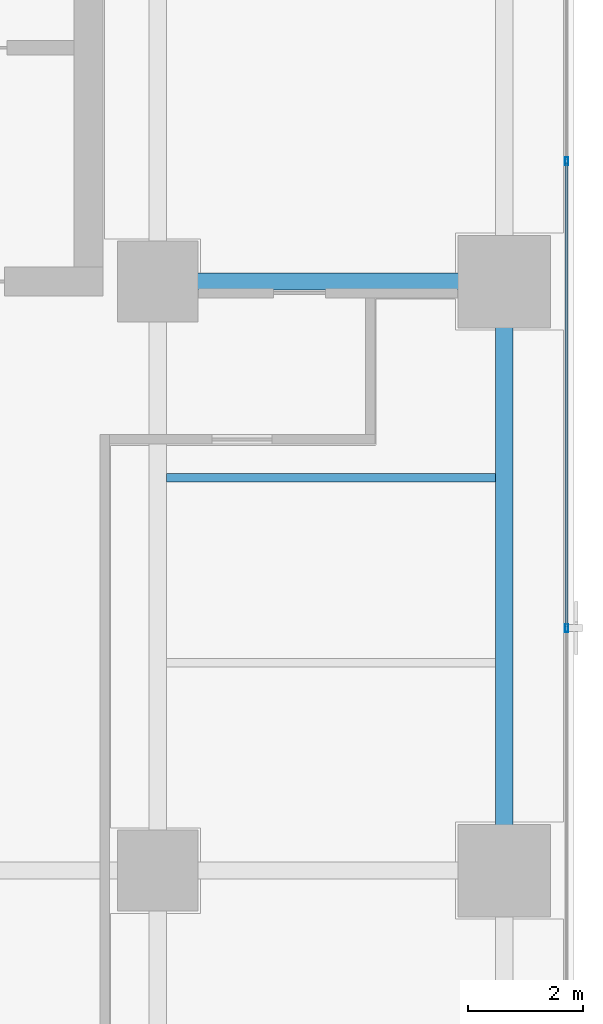
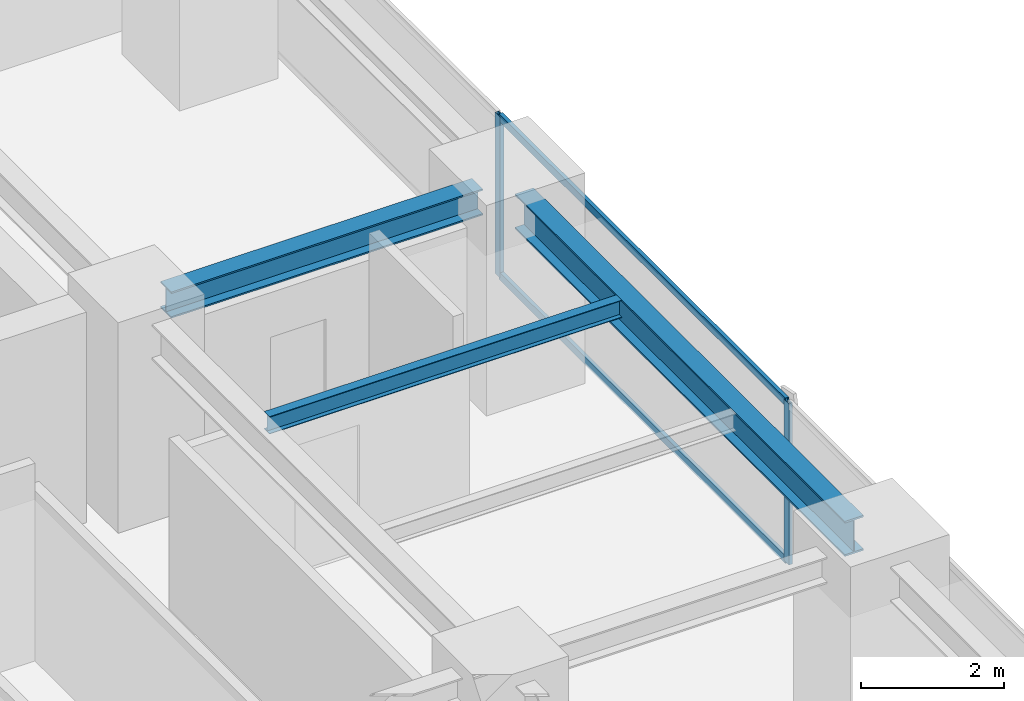
# One storey, part 17 of 29: 4 members, 3 beams, 1 element without a shape of its own.
"""IFC4 building model written with IfcOpenShell, lengths in metres."""

from ifc_helpers import new_model, si_unit, direction, frame, origin, origin_2d, place, context, subcontext, project, spatial, hollow_rectangle, i_section, extrude, source, transform, mapped, material, layer, layer_set, material_profile, profile_set, type_object, element, aggregate, save


model = new_model("IFC4")

# Units and contexts
model_context = context("Model", 3, precision=1e-05, world=origin(), true_north=direction((0.0, 1.0)))
body_context = subcontext(model_context, "Body", "Model", "MODEL_VIEW")
ifc_project = project(units=[si_unit("LENGTHUNIT", "METRE"), si_unit("AREAUNIT", "SQUARE_METRE"), si_unit("VOLUMEUNIT", "CUBIC_METRE"), si_unit("PLANEANGLEUNIT", "RADIAN"), si_unit("MASSUNIT", "GRAM", prefix="KILO")], contexts=[model_context])

# Site, building, storey
site_placement = place(None, origin())
site = spatial("IfcSite", under=ifc_project, at=site_placement, CompositionType="ELEMENT")
building_placement = place(site_placement, origin())
building = spatial("IfcBuilding", under=site, at=building_placement, Name="Sumidabori Civic Tower", CompositionType="ELEMENT")
storey_placement = place(building_placement, frame((0.0, 0.0, 218.0)))
storey = spatial("IfcBuildingStorey", under=building, at=storey_placement, Name="L56", CompositionType="ELEMENT", Elevation=218.0)

# Beams
ifc_material_1 = material(Name="Steel SN490", Category="steel")
ifc_material_profile_1 = material_profile(ifc_material_1, i_section(OverallWidth=0.300048828125, OverallDepth=0.60009765625, WebThickness=0.015380859375, FlangeThickness=0.030029296875, at=origin_2d()), Name="HE 600 B")
ifc_profile_set_1 = profile_set([ifc_material_profile_1], Name="Steel SN490")
beam_type_1 = type_object("IfcBeamType", Name="BM-GIRD-600", PredefinedType="BEAM", material=ifc_profile_set_1)
shared_shape_1 = source(origin(), body_context, "Body", "SweptSolid", [
    extrude(i_section(OverallWidth=0.300048828125, OverallDepth=0.60009765625, WebThickness=0.015380859375, FlangeThickness=0.030029296875, at=origin_2d()), origin(), (0.0, 0.0, 1.0), 9.239990234375),
])
beam_1_placement = place(storey_placement, frame((22.800048828125, 0.47998046875, 3.080078125), z_axis=(0.0, 1.0, 0.0), x_axis=(-1.0, 0.0, 0.0)))
element("IfcBeam", 1, at=beam_1_placement, inside=storey, type_object=beam_type_1, Name="Primary Girder L56 GY-23", PredefinedType="BEAM", context=body_context, shape_type="MappedRepresentation", body=[
    mapped(shared_shape_1, transform((0.0, 0.0, 0.0), x_axis=(1.0, 0.0, 0.0), y_axis=(0.0, 1.0, 0.0), z_axis=(0.0, 0.0, 1.0), scale=1.0)),
])
ifc_material_profile_2 = material_profile(ifc_material_1, i_section(OverallWidth=0.14990234375, OverallDepth=0.300048828125, WebThickness=0.007080078125, FlangeThickness=0.0107421875, at=origin_2d()), Name="IPE 300")
ifc_profile_set_2 = profile_set([ifc_material_profile_2], Name="Steel SN490")
beam_type_2 = type_object("IfcBeamType", Name="BM-JST-300", PredefinedType="JOIST", material=ifc_profile_set_2)
shared_shape_2 = source(origin(), body_context, "Body", "SweptSolid", [
    extrude(i_section(OverallWidth=0.14990234375, OverallDepth=0.300048828125, WebThickness=0.007080078125, FlangeThickness=0.0107421875, at=origin_2d()), origin(), (0.0, 0.0, 1.0), 5.699951171875),
])
beam_2_placement = place(storey_placement, frame((16.949951171875, 6.800048828125, 3.22998046875), z_axis=(1.0, 0.0, 0.0), x_axis=(0.0, 1.0, 0.0)))
element("IfcBeam", 2, at=beam_2_placement, inside=storey, type_object=beam_type_2, Name="Outer Bay Floor Joist L56 JSTO-32", PredefinedType="JOIST", context=body_context, shape_type="MappedRepresentation", body=[
    mapped(shared_shape_2, transform((0.0, 0.0, 0.0), x_axis=(1.0, 0.0, 0.0), y_axis=(0.0, 1.0, 0.0), z_axis=(0.0, 0.0, 1.0), scale=1.0)),
])
ifc_material_profile_3 = material_profile(ifc_material_1, i_section(OverallWidth=0.300048828125, OverallDepth=0.449951171875, WebThickness=0.013916015625, FlangeThickness=0.02587890625, at=origin_2d()), Name="HE 450 B")
ifc_profile_set_3 = profile_set([ifc_material_profile_3], Name="Steel SN490")
beam_type_3 = type_object("IfcBeamType", Name="BM-GIRD-450", PredefinedType="BEAM", material=ifc_profile_set_3)
shared_shape_3 = source(origin(), body_context, "Body", "SweptSolid", [
    extrude(i_section(OverallWidth=0.300048828125, OverallDepth=0.449951171875, WebThickness=0.013916015625, FlangeThickness=0.02587890625, at=origin_2d()), origin(), (0.0, 0.0, 1.0), 5.0400390625),
])
beam_3_placement = place(storey_placement, frame((17.280029296875, 10.199951171875, 3.155029296875), z_axis=(1.0, 0.0, 0.0), x_axis=(0.0, 1.0, 0.0)))
element("IfcBeam", 3, at=beam_3_placement, inside=storey, type_object=beam_type_3, Name="Primary Girder L56 GX-10", PredefinedType="BEAM", context=body_context, shape_type="MappedRepresentation", body=[
    mapped(shared_shape_3, transform((0.0, 0.0, 0.0), x_axis=(1.0, 0.0, 0.0), y_axis=(0.0, 1.0, 0.0), z_axis=(0.0, 0.0, 1.0), scale=1.0)),
])

# Curtain wall, members
ifc_material_2 = material(Name="Anodised Bronze Aluminium AW-6063-T6", Category="aluminium")
ifc_layer = layer(ifc_material_2, 0.179931640625, Name="Anodised Bronze Aluminium AW-6063-T6")
ifc_layer_set = layer_set([ifc_layer], Name="Anodised Bronze Aluminium AW-6063-T6")
curtain_wall_type = type_object("IfcCurtainWallType", Name="CW-SYS-5", PredefinedType="NOTDEFINED", material=ifc_layer_set)
curtain_wall_placement = place(storey_placement, origin())
curtain_wall = element("IfcCurtainWall", 4, at=curtain_wall_placement, inside=storey, type_object=curtain_wall_type, Name="Curtain Wall CW:L56:R10", PredefinedType="NOTDEFINED")
ifc_material_profile_4 = material_profile(ifc_material_2, hollow_rectangle(XDim=0.06005859375, YDim=0.139892578125, WallThickness=0.0048828125, at=origin_2d()), Name="ALU MULLION 140x60")
ifc_profile_set_4 = profile_set([ifc_material_profile_4], Name="Anodised Bronze Aluminium AW-6063-T6")
member_type_1 = type_object("IfcMemberType", Name="CW-MUL-140", PredefinedType="MULLION", material=ifc_profile_set_4)
shared_shape_4 = source(origin(), body_context, "Body", "SweptSolid", [
    extrude(hollow_rectangle(XDim=0.06005859375, YDim=0.139892578125, WallThickness=0.0048828125, at=origin_2d()), origin(), (0.0, 0.0, 1.0), 2.760009765625),
])
member_1_placement = place(storey_placement, frame((23.8798828125, 4.199951171875, 0.0), z_axis=(0.0, 0.0, 1.0), x_axis=(-1.0, 0.0, 0.0)))
member_1 = element("IfcMember", 5, at=member_1_placement, type_object=member_type_1, Name="CW-5 mullion 3", PredefinedType="MULLION", context=body_context, shape_type="MappedRepresentation", body=[
    mapped(shared_shape_4, transform((0.0, 0.0, 0.0), x_axis=(1.0, 0.0, 0.0), y_axis=(0.0, 1.0, 0.0), z_axis=(0.0, 0.0, 1.0), scale=1.0)),
])
member_2_placement = place(storey_placement, frame((23.8798828125, 12.284912109375, 0.0), z_axis=(0.0, 0.0, 1.0), x_axis=(-1.0, 0.0, 0.0)))
member_2 = element("IfcMember", 6, at=member_2_placement, type_object=member_type_1, Name="CW-5 mullion 4", PredefinedType="MULLION", context=body_context, shape_type="MappedRepresentation", body=[
    mapped(shared_shape_4, transform((0.0, 0.0, 0.0), x_axis=(1.0, 0.0, 0.0), y_axis=(0.0, 1.0, 0.0), z_axis=(0.0, 0.0, 1.0), scale=1.0)),
])
ifc_material_profile_5 = material_profile(ifc_material_2, hollow_rectangle(XDim=0.06005859375, YDim=0.1298828125, WallThickness=0.0048828125, at=origin_2d()), Name="ALU TRANSOM 130x60")
ifc_profile_set_5 = profile_set([ifc_material_profile_5], Name="Anodised Bronze Aluminium AW-6063-T6")
member_type_2 = type_object("IfcMemberType", Name="CW-TRN-130", PredefinedType="USERDEFINED", material=ifc_profile_set_5)
shared_shape_5 = source(origin(), body_context, "Body", "SweptSolid", [
    extrude(hollow_rectangle(XDim=0.06005859375, YDim=0.1298828125, WallThickness=0.0048828125, at=origin_2d()), origin(), (0.0, 0.0, 1.0), 8.02490234375),
])
member_3_placement = place(storey_placement, frame((23.8798828125, 4.22998046875, 0.030029296875), z_axis=(0.0, 1.0, 0.0), x_axis=(-1.0, 0.0, 0.0)))
member_3 = element("IfcMember", 7, at=member_3_placement, type_object=member_type_2, Name="CW-5 transom 3.1", ObjectType="TRANSOM", PredefinedType="USERDEFINED", context=body_context, shape_type="MappedRepresentation", body=[
    mapped(shared_shape_5, transform((0.0, 0.0, 0.0), x_axis=(1.0, 0.0, 0.0), y_axis=(0.0, 1.0, 0.0), z_axis=(0.0, 0.0, 1.0), scale=1.0)),
])
member_4_placement = place(storey_placement, frame((23.8798828125, 4.22998046875, 2.72998046875), z_axis=(0.0, 1.0, 0.0), x_axis=(-1.0, 0.0, 0.0)))
member_4 = element("IfcMember", 8, at=member_4_placement, type_object=member_type_2, Name="CW-5 transom 3.2", ObjectType="TRANSOM", PredefinedType="USERDEFINED", context=body_context, shape_type="MappedRepresentation", body=[
    mapped(shared_shape_5, transform((0.0, 0.0, 0.0), x_axis=(1.0, 0.0, 0.0), y_axis=(0.0, 1.0, 0.0), z_axis=(0.0, 0.0, 1.0), scale=1.0)),
])
aggregate(curtain_wall, [member_1, member_2, member_3, member_4])

save(model, "model.ifc")
